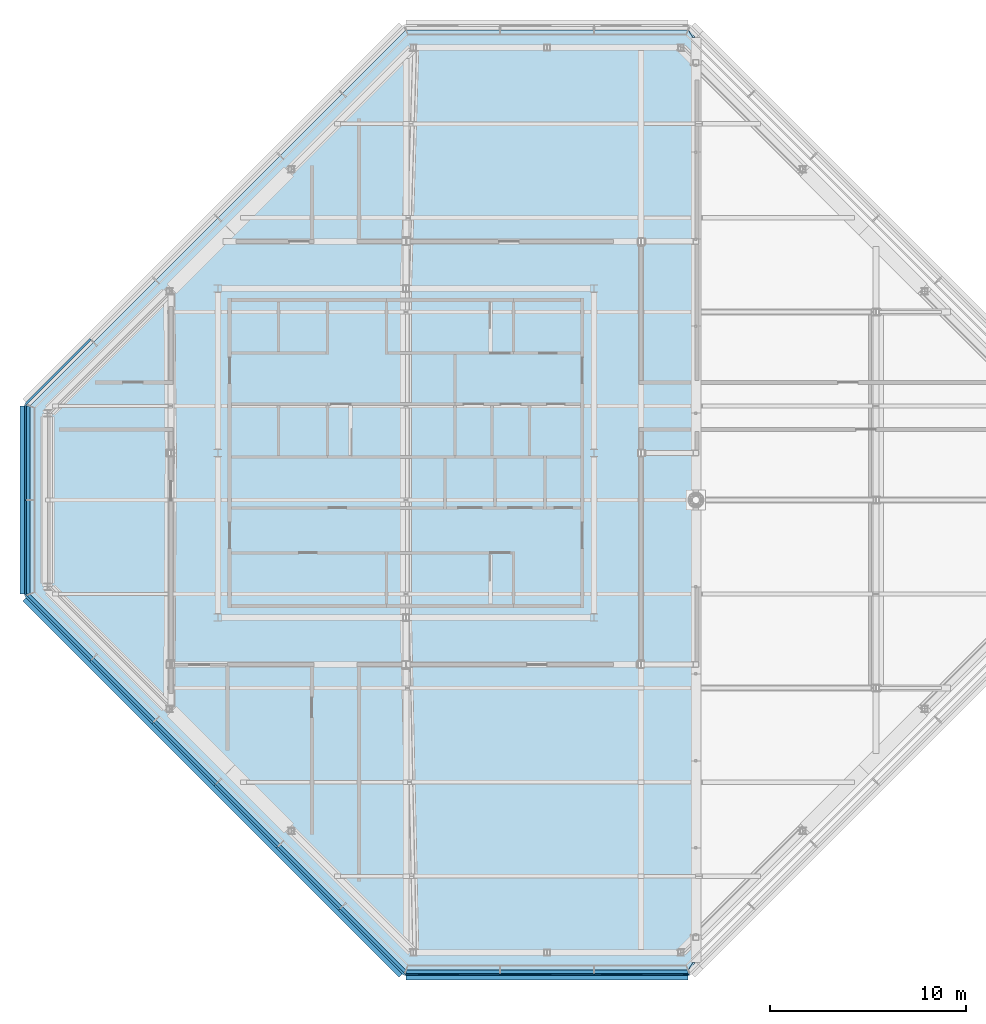
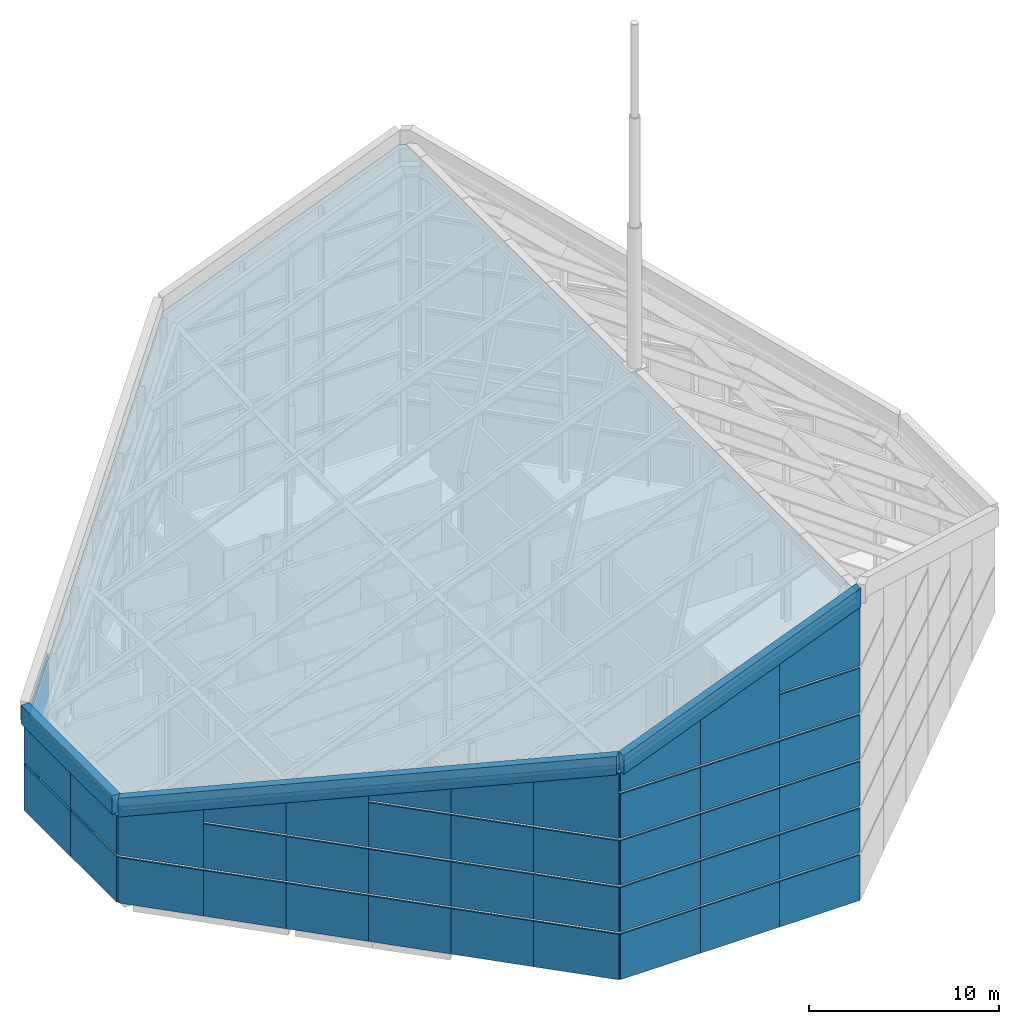
# One storey, part 13 of 21: 45 plates, 1 slab, 4 elements without a shape of their own.
"""IFC4 building model written with IfcOpenShell, lengths in metres."""

from ifc_helpers import new_model, si_unit, direction, frame, origin, origin_2d, place, context, subcontext, project, spatial, polyline, rectangle, outline, extrude, material, layer, layer_set, type_object, element, aggregate, save


model = new_model("IFC4")

# Units and contexts
model_context = context("Model", 3, precision=1e-05, world=origin(), true_north=direction((0.0, 1.0)))
body_context = subcontext(model_context, "Body", "Model", "MODEL_VIEW")
ifc_project = project(units=[si_unit("LENGTHUNIT", "METRE"), si_unit("AREAUNIT", "SQUARE_METRE"), si_unit("VOLUMEUNIT", "CUBIC_METRE"), si_unit("PLANEANGLEUNIT", "RADIAN"), si_unit("MASSUNIT", "GRAM", prefix="KILO")], contexts=[model_context])

# Site, building, storey
site_placement = place(None, origin())
site = spatial("IfcSite", under=ifc_project, at=site_placement, CompositionType="ELEMENT")
building_placement = place(site_placement, origin())
building = spatial("IfcBuilding", under=site, at=building_placement, Name="Cairn Pilgrim Tower", CompositionType="ELEMENT")
storey_placement = place(building_placement, frame((0.0, 0.0, 295.800048828125)))
storey = spatial("IfcBuildingStorey", under=building, at=storey_placement, Name="L76", CompositionType="ELEMENT", Elevation=295.800048828125)

# Plates
ifc_material_1 = material(Name="Bronze anodised aluminium", Category="aluminium")
ifc_layer_1 = layer(ifc_material_1, 0.5)
ifc_layer_set_1 = layer_set([ifc_layer_1], Name="EAVES FASCIA 500x1200 BRONZE")
plate_type_1 = type_object("IfcPlateType", Name="EAVES FASCIA 500x1200 BRONZE", PredefinedType="SHEET", material=ifc_layer_set_1)
plate_1_placement = place(storey_placement, frame((7.199951171875, -24.25, 13.300537109375), z_axis=(0.0, 0.0, 1.0), x_axis=(1.0, 0.0, 0.0)))
element("IfcPlate", 1, at=plate_1_placement, inside=storey, type_object=plate_type_1, Name="Eaves fascia EF-1", PredefinedType="SHEET", context=body_context, shape_type="SweptSolid", body=[
    extrude(outline(polyline([(0.0, 0.0), (14.39990234375, 5.7177734375), (14.39990234375, 6.917724609375), (0.0, 1.2001953125), (0.0, 0.0)])), frame((0.0, 0.25, 0.0), z_axis=(0.0, -1.0, 0.0), x_axis=(1.0, 0.0, 0.0)), (0.0, 0.0, 1.0), 0.5),
])
plate_2_placement = place(storey_placement, frame((-12.25, 4.800048828125, 5.67724609375), z_axis=(0.0, 0.0, 1.0), x_axis=(0.0, -1.0, 0.0)))
element("IfcPlate", 2, at=plate_2_placement, inside=storey, type_object=plate_type_1, Name="Eaves fascia EF-7", PredefinedType="SHEET", context=body_context, shape_type="SweptSolid", body=[
    extrude(outline(polyline([(0.0, 0.0), (9.60009765625, 0.0), (9.60009765625, 1.199951171875), (0.0, 1.199951171875), (0.0, 0.0)])), frame((0.0, 0.25, 0.0), z_axis=(0.0, -1.0, 0.0), x_axis=(1.0, 0.0, 0.0)), (0.0, 0.0, 1.0), 0.5),
])
plate_3_placement = place(storey_placement, frame((-12.1767578125, -4.976806640625, 5.67724609375), z_axis=(0.0, 0.0, 1.0), x_axis=(0.707106781187, -0.707106781187, 0.0)))
element("IfcPlate", 3, at=plate_3_placement, inside=storey, type_object=plate_type_1, Name="Eaves fascia EF-8", PredefinedType="SHEET", context=body_context, shape_type="SweptSolid", body=[
    extrude(outline(polyline([(0.0, 0.0), (27.15283203125, 7.623291015625), (27.15283203125, 8.823486328125), (0.0, 1.199951171875), (0.0, 0.0)])), frame((0.0, 0.25, 0.0), z_axis=(0.0, -1.0, 0.0), x_axis=(1.0, 0.0, 0.0)), (0.0, 0.0, 1.0), 0.5),
])

# Curtain wall, plates
ifc_material_2 = material(Name="Aluminium alloy 6063-T6 bronze anodised with Bronze tinted laminated low-E glass 8+16+8.8", Category="aluminium")
curtain_wall_type = type_object("IfcCurtainWallType", Name="CROWN LOUVRE CURTAIN WALL", PredefinedType="NOTDEFINED", material=ifc_material_2)
curtain_wall_1_placement = place(storey_placement, origin())
curtain_wall_1 = element("IfcCurtainWall", 4, at=curtain_wall_1_placement, inside=storey, type_object=curtain_wall_type, Name="Crown Louvre Curtain Wall SW", PredefinedType="NOTDEFINED")
ifc_material_3 = material(Name="Bronze anodised aluminium louvre blades", Category="aluminium")
ifc_layer_2 = layer(ifc_material_3, 0.10009765625)
ifc_layer_set_2 = layer_set([ifc_layer_2], Name="LOUVRE PANEL 4491 RAKING")
plate_type_2 = type_object("IfcPlateType", Name="LOUVRE PANEL 4491 RAKING", PredefinedType="CURTAIN_PANEL", material=ifc_layer_set_2)
plate_4_placement = place(storey_placement, frame((-8.90673828125, -8.204345703125, 6.074951171875), z_axis=(0.0, 0.0, 1.0), x_axis=(0.707106781187, -0.707106781187, 0.0)))
plate_4 = element("IfcPlate", 5, at=plate_4_placement, type_object=plate_type_2, Name="Louvre panel SW2-3", PredefinedType="CURTAIN_PANEL", context=body_context, shape_type="SweptSolid", body=[
    extrude(outline(polyline([(0.0, 0.0), (4.490966796875, 0.0), (4.490966796875, 2.077392578125), (3.849365234375, 1.897216796875), (3.207763671875, 1.717041015625), (2.56640625, 1.536865234375), (1.9248046875, 1.356689453125), (1.283203125, 1.176513671875), (0.6416015625, 0.99658203125), (0.0, 0.81640625), (0.0, 0.0)])), frame((0.0, 0.050048828125, 0.0), z_axis=(0.0, -1.0, 0.0), x_axis=(1.0, 0.0, 0.0)), (0.0, 0.0, 1.0), 0.10009765625),
])
plate_5_placement = place(storey_placement, frame((-5.731201171875, -11.3798828125, 6.074951171875), z_axis=(0.0, 0.0, 1.0), x_axis=(0.707079599931, -0.707133961398, 0.0)))
plate_5 = element("IfcPlate", 6, at=plate_5_placement, type_object=plate_type_2, Name="Louvre panel SW3-3", PredefinedType="CURTAIN_PANEL", context=body_context, shape_type="SweptSolid", body=[
    extrude(outline(polyline([(0.0, 0.0), (4.490966796875, 0.0), (4.490966796875, 3.338134765625), (3.849365234375, 3.157958984375), (3.207763671875, 2.97802734375), (2.56640625, 2.7978515625), (1.9248046875, 2.61767578125), (1.283203125, 2.4375), (0.6416015625, 2.25732421875), (0.0, 2.077392578125), (0.0, 0.0)])), frame((0.0, 0.050048828125, 0.0), z_axis=(0.0, -1.0, 0.0), x_axis=(1.0, 0.0, 0.0)), (0.0, 0.0, 1.0), 0.10009765625),
])
plate_6_placement = place(storey_placement, frame((-2.5556640625, -14.5556640625, 9.074951171875), z_axis=(0.0, 0.0, 1.0), x_axis=(0.707133961398, -0.707079599931, 0.0)))
plate_6 = element("IfcPlate", 7, at=plate_6_placement, type_object=plate_type_2, Name="Louvre panel SW4-4", PredefinedType="CURTAIN_PANEL", context=body_context, shape_type="SweptSolid", body=[
    extrude(outline(polyline([(0.0, 0.0), (4.490966796875, 0.0), (4.490966796875, 1.59912109375), (3.849365234375, 1.4189453125), (3.207763671875, 1.23876953125), (2.56640625, 1.05859375), (1.9248046875, 0.878662109375), (1.283203125, 0.698486328125), (0.6416015625, 0.518310546875), (0.0, 0.338134765625), (0.0, 0.0)])), frame((0.0, 0.050048828125, 0.0), z_axis=(0.0, -1.0, 0.0), x_axis=(1.0, 0.0, 0.0)), (0.0, 0.0, 1.0), 0.10009765625),
])
plate_7_placement = place(storey_placement, frame((0.6201171875, -17.731201171875, 9.074951171875), z_axis=(0.0, 0.0, 1.0), x_axis=(0.707106781187, -0.707106781187, 0.0)))
plate_7 = element("IfcPlate", 8, at=plate_7_placement, type_object=plate_type_2, Name="Louvre panel SW5-4", PredefinedType="CURTAIN_PANEL", context=body_context, shape_type="SweptSolid", body=[
    extrude(outline(polyline([(0.0, 0.0), (4.490966796875, 0.0), (4.490966796875, 2.85986328125), (3.849365234375, 2.679931640625), (3.207763671875, 2.499755859375), (2.56640625, 2.319580078125), (1.9248046875, 2.139404296875), (1.283203125, 1.959228515625), (0.6416015625, 1.779296875), (0.0, 1.59912109375), (0.0, 0.0)])), frame((0.0, 0.050048828125, 0.0), z_axis=(0.0, -1.0, 0.0), x_axis=(1.0, 0.0, 0.0)), (0.0, 0.0, 1.0), 0.10009765625),
])
ifc_layer_3 = layer(ifc_material_3, 0.10009765625)
ifc_layer_set_3 = layer_set([ifc_layer_3], Name="LOUVRE PANEL 4491x2850")
plate_type_3 = type_object("IfcPlateType", Name="LOUVRE PANEL 4491x2850", PredefinedType="CURTAIN_PANEL", material=ifc_layer_set_3)
plate_8_placement = place(storey_placement, frame((-7.31884765625, -9.792236328125, 3.074951171875), z_axis=(0.0, 0.0, 1.0), x_axis=(0.707106781187, -0.707106781187, 0.0)))
plate_8 = element("IfcPlate", 9, at=plate_8_placement, type_object=plate_type_3, Name="Louvre Panel SW2-2", PredefinedType="CURTAIN_PANEL", context=body_context, shape_type="SweptSolid", body=[
    extrude(rectangle(XDim=4.490966796875, YDim=0.10009765625, at=origin_2d()), origin(), (0.0, 0.0, 1.0), 2.85009765625),
])
plate_9_placement = place(storey_placement, frame((-4.143310546875, -12.9677734375, 3.074951171875), z_axis=(0.0, 0.0, 1.0), x_axis=(0.707106781187, -0.707106781187, 0.0)))
plate_9 = element("IfcPlate", 10, at=plate_9_placement, type_object=plate_type_3, Name="Louvre Panel SW3-2", PredefinedType="CURTAIN_PANEL", context=body_context, shape_type="SweptSolid", body=[
    extrude(rectangle(XDim=4.490966796875, YDim=0.10009765625, at=origin_2d()), origin(), (0.0, 0.0, 1.0), 2.85009765625),
])
plate_10_placement = place(storey_placement, frame((-0.9677734375, -16.143310546875, 3.074951171875), z_axis=(0.0, 0.0, 1.0), x_axis=(0.707106781187, -0.707106781187, 0.0)))
plate_10 = element("IfcPlate", 11, at=plate_10_placement, type_object=plate_type_3, Name="Louvre Panel SW4-2", PredefinedType="CURTAIN_PANEL", context=body_context, shape_type="SweptSolid", body=[
    extrude(rectangle(XDim=4.490966796875, YDim=0.10009765625, at=origin_2d()), origin(), (0.0, 0.0, 1.0), 2.85009765625),
])
plate_11_placement = place(storey_placement, frame((-0.9677734375, -16.143310546875, 6.074951171875), z_axis=(0.0, 0.0, 1.0), x_axis=(0.707106781187, -0.707106781187, 0.0)))
plate_11 = element("IfcPlate", 12, at=plate_11_placement, type_object=plate_type_3, Name="Louvre Panel SW4-3", PredefinedType="CURTAIN_PANEL", context=body_context, shape_type="SweptSolid", body=[
    extrude(rectangle(XDim=4.490966796875, YDim=0.10009765625, at=origin_2d()), origin(), (0.0, 0.0, 1.0), 2.85009765625),
])
plate_12_placement = place(storey_placement, frame((2.207763671875, -19.31884765625, 3.074951171875), z_axis=(0.0, 0.0, 1.0), x_axis=(0.707106781187, -0.707106781187, 0.0)))
plate_12 = element("IfcPlate", 13, at=plate_12_placement, type_object=plate_type_3, Name="Louvre Panel SW5-2", PredefinedType="CURTAIN_PANEL", context=body_context, shape_type="SweptSolid", body=[
    extrude(rectangle(XDim=4.490966796875, YDim=0.10009765625, at=origin_2d()), origin(), (0.0, 0.0, 1.0), 2.85009765625),
])
plate_13_placement = place(storey_placement, frame((2.207763671875, -19.31884765625, 6.074951171875), z_axis=(0.0, 0.0, 1.0), x_axis=(0.707106781187, -0.707106781187, 0.0)))
plate_13 = element("IfcPlate", 14, at=plate_13_placement, type_object=plate_type_3, Name="Louvre Panel SW5-3", PredefinedType="CURTAIN_PANEL", context=body_context, shape_type="SweptSolid", body=[
    extrude(rectangle(XDim=4.490966796875, YDim=0.10009765625, at=origin_2d()), origin(), (0.0, 0.0, 1.0), 2.85009765625),
])
ifc_layer_4 = layer(ifc_material_3, 0.10009765625)
ifc_layer_set_4 = layer_set([ifc_layer_4], Name="LOUVRE PANEL 4491x2925")
plate_type_4 = type_object("IfcPlateType", Name="LOUVRE PANEL 4491x2925", PredefinedType="CURTAIN_PANEL", material=ifc_layer_set_4)
plate_14_placement = place(storey_placement, frame((-7.31884765625, -9.792236328125, 0.0), z_axis=(0.0, 0.0, 1.0), x_axis=(0.707106781187, -0.707106781187, 0.0)))
plate_14 = element("IfcPlate", 15, at=plate_14_placement, type_object=plate_type_4, Name="Louvre Panel SW2-1", PredefinedType="CURTAIN_PANEL", context=body_context, shape_type="SweptSolid", body=[
    extrude(rectangle(XDim=4.490966796875, YDim=0.10009765625, at=origin_2d()), origin(), (0.0, 0.0, 1.0), 2.925048828125),
])
plate_15_placement = place(storey_placement, frame((-4.143310546875, -12.9677734375, 0.0), z_axis=(0.0, 0.0, 1.0), x_axis=(0.707106781187, -0.707106781187, 0.0)))
plate_15 = element("IfcPlate", 16, at=plate_15_placement, type_object=plate_type_4, Name="Louvre Panel SW3-1", PredefinedType="CURTAIN_PANEL", context=body_context, shape_type="SweptSolid", body=[
    extrude(rectangle(XDim=4.490966796875, YDim=0.10009765625, at=origin_2d()), origin(), (0.0, 0.0, 1.0), 2.925048828125),
])
plate_16_placement = place(storey_placement, frame((-0.9677734375, -16.143310546875, 0.0), z_axis=(0.0, 0.0, 1.0), x_axis=(0.707106781187, -0.707106781187, 0.0)))
plate_16 = element("IfcPlate", 17, at=plate_16_placement, type_object=plate_type_4, Name="Louvre Panel SW4-1", PredefinedType="CURTAIN_PANEL", context=body_context, shape_type="SweptSolid", body=[
    extrude(rectangle(XDim=4.490966796875, YDim=0.10009765625, at=origin_2d()), origin(), (0.0, 0.0, 1.0), 2.925048828125),
])
plate_17_placement = place(storey_placement, frame((2.207763671875, -19.31884765625, 0.0), z_axis=(0.0, 0.0, 1.0), x_axis=(0.707106781187, -0.707106781187, 0.0)))
plate_17 = element("IfcPlate", 18, at=plate_17_placement, type_object=plate_type_4, Name="Louvre Panel SW5-1", PredefinedType="CURTAIN_PANEL", context=body_context, shape_type="SweptSolid", body=[
    extrude(rectangle(XDim=4.490966796875, YDim=0.10009765625, at=origin_2d()), origin(), (0.0, 0.0, 1.0), 2.925048828125),
])

# Curtain wall, plate
curtain_wall_2_placement = place(storey_placement, origin())
curtain_wall_2 = element("IfcCurtainWall", 19, at=curtain_wall_2_placement, inside=storey, type_object=curtain_wall_type, Name="Crown Louvre Curtain Wall NW", PredefinedType="NOTDEFINED")
ifc_layer_5 = layer(ifc_material_3, 0.10009765625)
ifc_layer_set_5 = layer_set([ifc_layer_5], Name="LOUVRE PANEL 4665 RAKING")
plate_type_5 = type_object("IfcPlateType", Name="LOUVRE PANEL 4665 RAKING", PredefinedType="CURTAIN_PANEL", material=ifc_layer_set_5)
plate_18_placement = place(storey_placement, frame((-8.90673828125, 8.204345703125, 3.074951171875), z_axis=(0.0, 0.0, 1.0), x_axis=(-0.707106781187, -0.707106781187, 0.0)))
plate_18 = element("IfcPlate", 20, at=plate_18_placement, type_object=plate_type_5, Name="Louvre panel NW6-2", PredefinedType="CURTAIN_PANEL", context=body_context, shape_type="SweptSolid", body=[
    extrude(outline(polyline([(0.0, 0.0), (4.664794921875, 0.0), (4.664794921875, 2.506591796875), (3.99853515625, 2.69384765625), (3.33203125, 2.880859375), (2.665771484375, 3.06787109375), (1.999267578125, 3.255126953125), (1.332763671875, 3.442138671875), (0.66650390625, 3.62939453125), (0.0, 3.81640625), (0.0, 0.0)])), frame((0.0, 0.050048828125, 0.0), z_axis=(0.0, -1.0, 0.0), x_axis=(1.0, 0.0, 0.0)), (0.0, 0.0, 1.0), 0.10009765625),
])

# Plate
plate_19_placement = place(storey_placement, frame((-12.205322265625, -4.90576171875, 3.074951171875), z_axis=(0.0, 0.0, 1.0), x_axis=(0.707106781187, -0.707106781187, 0.0)))
plate_19 = element("IfcPlate", 21, at=plate_19_placement, type_object=plate_type_5, Name="Louvre panel SW1-2", PredefinedType="CURTAIN_PANEL", context=body_context, shape_type="SweptSolid", body=[
    extrude(outline(polyline([(0.0, 0.0), (4.664794921875, 0.0), (4.664794921875, 3.81640625), (3.99853515625, 3.629150390625), (3.33203125, 3.442138671875), (2.665771484375, 3.255126953125), (1.999267578125, 3.06787109375), (1.332763671875, 2.880859375), (0.66650390625, 2.69384765625), (0.0, 2.506591796875), (0.0, 0.0)])), frame((0.0, 0.050048828125, 0.0), z_axis=(0.0, -1.0, 0.0), x_axis=(1.0, 0.0, 0.0)), (0.0, 0.0, 1.0), 0.10009765625),
])

plate_20_placement = place(storey_placement, frame((3.795654296875, -20.90673828125, 9.074951171875), z_axis=(0.0, 0.0, 1.0), x_axis=(0.707106781187, -0.707106781187, 0.0)))
plate_20 = element("IfcPlate", 22, at=plate_20_placement, type_object=plate_type_5, Name="Louvre panel SW6-4", PredefinedType="CURTAIN_PANEL", context=body_context, shape_type="SweptSolid", body=[
    extrude(outline(polyline([(0.0, 0.0), (4.664794921875, 0.0), (4.664794921875, 4.169677734375), (3.99853515625, 3.982666015625), (3.33203125, 3.79541015625), (2.665771484375, 3.6083984375), (1.999267578125, 3.42138671875), (1.332763671875, 3.234130859375), (0.66650390625, 3.047119140625), (0.0, 2.85986328125), (0.0, 0.0)])), frame((0.0, 0.050048828125, 0.0), z_axis=(0.0, -1.0, 0.0), x_axis=(1.0, 0.0, 0.0)), (0.0, 0.0, 1.0), 0.10009765625),
])

ifc_layer_6 = layer(ifc_material_3, 0.10009765625)
ifc_layer_set_6 = layer_set([ifc_layer_6], Name="LOUVRE PANEL 4665x2850")
plate_type_6 = type_object("IfcPlateType", Name="LOUVRE PANEL 4665x2850", PredefinedType="CURTAIN_PANEL", material=ifc_layer_set_6)
plate_21_placement = place(storey_placement, frame((5.44482421875, -22.55615234375, 3.074951171875), z_axis=(0.0, 0.0, 1.0), x_axis=(0.707106781187, -0.707106781187, 0.0)))
plate_21 = element("IfcPlate", 23, at=plate_21_placement, type_object=plate_type_6, Name="Louvre Panel SW6-2", PredefinedType="CURTAIN_PANEL", context=body_context, shape_type="SweptSolid", body=[
    extrude(rectangle(XDim=4.6650390625, YDim=0.10009765625, at=origin_2d()), origin(), (0.0, 0.0, 1.0), 2.85009765625),
])

plate_22_placement = place(storey_placement, frame((5.44482421875, -22.55615234375, 6.074951171875), z_axis=(0.0, 0.0, 1.0), x_axis=(0.707106781187, -0.707106781187, 0.0)))
plate_22 = element("IfcPlate", 24, at=plate_22_placement, type_object=plate_type_6, Name="Louvre Panel SW6-3", PredefinedType="CURTAIN_PANEL", context=body_context, shape_type="SweptSolid", body=[
    extrude(rectangle(XDim=4.6650390625, YDim=0.10009765625, at=origin_2d()), origin(), (0.0, 0.0, 1.0), 2.85009765625),
])

ifc_layer_7 = layer(ifc_material_3, 0.10009765625)
ifc_layer_set_7 = layer_set([ifc_layer_7], Name="LOUVRE PANEL 4665x2925")
plate_type_7 = type_object("IfcPlateType", Name="LOUVRE PANEL 4665x2925", PredefinedType="CURTAIN_PANEL", material=ifc_layer_set_7)
plate_23_placement = place(storey_placement, frame((-10.55615234375, 6.55517578125, 0.0), z_axis=(0.0, 0.0, 1.0), x_axis=(-0.707106781187, -0.707106781187, 0.0)))
plate_23 = element("IfcPlate", 25, at=plate_23_placement, type_object=plate_type_7, Name="Louvre Panel NW6-1", PredefinedType="CURTAIN_PANEL", context=body_context, shape_type="SweptSolid", body=[
    extrude(rectangle(XDim=4.6650390625, YDim=0.10009765625, at=origin_2d()), origin(), (0.0, 0.0, 1.0), 2.925048828125),
])

aggregate(curtain_wall_2, [plate_23, plate_18])

plate_24_placement = place(storey_placement, frame((-10.55615234375, -6.55517578125, 0.0), z_axis=(0.0, 0.0, 1.0), x_axis=(0.707106781187, -0.707106781187, 0.0)))
plate_24 = element("IfcPlate", 26, at=plate_24_placement, type_object=plate_type_7, Name="Louvre Panel SW1-1", PredefinedType="CURTAIN_PANEL", context=body_context, shape_type="SweptSolid", body=[
    extrude(rectangle(XDim=4.6650390625, YDim=0.10009765625, at=origin_2d()), origin(), (0.0, 0.0, 1.0), 2.925048828125),
])

plate_25_placement = place(storey_placement, frame((5.44482421875, -22.55615234375, 0.0), z_axis=(0.0, 0.0, 1.0), x_axis=(0.707106781187, -0.707106781187, 0.0)))
plate_25 = element("IfcPlate", 27, at=plate_25_placement, type_object=plate_type_7, Name="Louvre Panel SW6-1", PredefinedType="CURTAIN_PANEL", context=body_context, shape_type="SweptSolid", body=[
    extrude(rectangle(XDim=4.6650390625, YDim=0.10009765625, at=origin_2d()), origin(), (0.0, 0.0, 1.0), 2.925048828125),
])

aggregate(curtain_wall_1, [plate_24, plate_19, plate_14, plate_8, plate_4, plate_15, plate_9, plate_5, plate_16, plate_10, plate_11, plate_6, plate_17, plate_12, plate_13, plate_7, plate_25, plate_21, plate_22, plate_20])

# Curtain wall, plates
curtain_wall_3_placement = place(storey_placement, origin())
curtain_wall_3 = element("IfcCurtainWall", 28, at=curtain_wall_3_placement, inside=storey, type_object=curtain_wall_type, Name="Crown Louvre Curtain Wall S", PredefinedType="NOTDEFINED")
ifc_layer_8 = layer(ifc_material_3, 0.10009765625)
ifc_layer_set_8 = layer_set([ifc_layer_8], Name="LOUVRE PANEL 4800 RAKING")
plate_type_8 = type_object("IfcPlateType", Name="LOUVRE PANEL 4800 RAKING", PredefinedType="CURTAIN_PANEL", material=ifc_layer_set_8)
plate_26_placement = place(storey_placement, frame((12.0, -24.219970703125, 12.074951171875), z_axis=(0.0, 0.0, 1.0), x_axis=(1.0, 0.0, 0.0)))
plate_26 = element("IfcPlate", 29, at=plate_26_placement, type_object=plate_type_8, Name="Louvre panel S2-5", PredefinedType="CURTAIN_PANEL", context=body_context, shape_type="SweptSolid", body=[
    extrude(outline(polyline([(0.0, 0.0), (4.800048828125, 0.0), (4.800048828125, 5.03759765625), (4.1142578125, 4.76513671875), (3.4287109375, 4.492919921875), (2.742919921875, 4.220703125), (2.05712890625, 3.948486328125), (1.371337890625, 3.67626953125), (0.685791015625, 3.40380859375), (0.0, 3.131591796875), (0.0, 0.0)])), frame((0.0, 0.050048828125, 0.0), z_axis=(0.0, -1.0, 0.0), x_axis=(1.0, 0.0, 0.0)), (0.0, 0.0, 1.0), 0.10009765625),
])
ifc_layer_9 = layer(ifc_material_3, 0.10009765625)
ifc_layer_set_9 = layer_set([ifc_layer_9], Name="LOUVRE PANEL 4800x2850")
plate_type_9 = type_object("IfcPlateType", Name="LOUVRE PANEL 4800x2850", PredefinedType="CURTAIN_PANEL", material=ifc_layer_set_9)
plate_27_placement = place(storey_placement, frame((14.39990234375, -24.219970703125, 3.074951171875), z_axis=(0.0, 0.0, 1.0), x_axis=(1.0, 0.0, 0.0)))
plate_27 = element("IfcPlate", 30, at=plate_27_placement, type_object=plate_type_9, Name="Louvre Panel S2-2", PredefinedType="CURTAIN_PANEL", context=body_context, shape_type="SweptSolid", body=[
    extrude(rectangle(XDim=4.800048828125, YDim=0.10009765625, at=origin_2d()), origin(), (0.0, 0.0, 1.0), 2.85009765625),
])
plate_28_placement = place(storey_placement, frame((14.39990234375, -24.219970703125, 6.074951171875), z_axis=(0.0, 0.0, 1.0), x_axis=(1.0, 0.0, 0.0)))
plate_28 = element("IfcPlate", 31, at=plate_28_placement, type_object=plate_type_9, Name="Louvre Panel S2-3", PredefinedType="CURTAIN_PANEL", context=body_context, shape_type="SweptSolid", body=[
    extrude(rectangle(XDim=4.800048828125, YDim=0.10009765625, at=origin_2d()), origin(), (0.0, 0.0, 1.0), 2.85009765625),
])
plate_29_placement = place(storey_placement, frame((14.39990234375, -24.219970703125, 9.074951171875), z_axis=(0.0, 0.0, 1.0), x_axis=(1.0, 0.0, 0.0)))
plate_29 = element("IfcPlate", 32, at=plate_29_placement, type_object=plate_type_9, Name="Louvre Panel S2-4", PredefinedType="CURTAIN_PANEL", context=body_context, shape_type="SweptSolid", body=[
    extrude(rectangle(XDim=4.800048828125, YDim=0.10009765625, at=origin_2d()), origin(), (0.0, 0.0, 1.0), 2.85009765625),
])
ifc_layer_10 = layer(ifc_material_3, 0.10009765625)
ifc_layer_set_10 = layer_set([ifc_layer_10], Name="LOUVRE PANEL 4800x2925")
plate_type_10 = type_object("IfcPlateType", Name="LOUVRE PANEL 4800x2925", PredefinedType="CURTAIN_PANEL", material=ifc_layer_set_10)
plate_30_placement = place(storey_placement, frame((14.39990234375, -24.219970703125, 0.0), z_axis=(0.0, 0.0, 1.0), x_axis=(1.0, 0.0, 0.0)))
plate_30 = element("IfcPlate", 33, at=plate_30_placement, type_object=plate_type_10, Name="Louvre Panel S2-1", PredefinedType="CURTAIN_PANEL", context=body_context, shape_type="SweptSolid", body=[
    extrude(rectangle(XDim=4.800048828125, YDim=0.10009765625, at=origin_2d()), origin(), (0.0, 0.0, 1.0), 2.925048828125),
])
ifc_layer_11 = layer(ifc_material_3, 0.10009765625)
ifc_layer_set_11 = layer_set([ifc_layer_11], Name="LOUVRE PANEL 4870 RAKING")
plate_type_11 = type_object("IfcPlateType", Name="LOUVRE PANEL 4870 RAKING", PredefinedType="CURTAIN_PANEL", material=ifc_layer_set_11)
plate_31_placement = place(storey_placement, frame((7.129638671875, -24.219970703125, 12.074951171875), z_axis=(0.0, 0.0, 1.0), x_axis=(1.0, 0.0, 0.0)))
plate_31 = element("IfcPlate", 34, at=plate_31_placement, type_object=plate_type_11, Name="Louvre panel S1-5", PredefinedType="CURTAIN_PANEL", context=body_context, shape_type="SweptSolid", body=[
    extrude(outline(polyline([(0.0, 0.0), (4.870361328125, 0.0), (4.870361328125, 3.131591796875), (4.26171875, 2.889892578125), (3.65283203125, 2.648193359375), (3.0439453125, 2.406494140625), (2.435302734375, 2.164794921875), (1.826416015625, 1.923095703125), (1.217529296875, 1.68115234375), (0.60888671875, 1.439453125), (0.0, 1.19775390625), (0.0, 0.0)])), frame((0.0, 0.050048828125, 0.0), z_axis=(0.0, -1.0, 0.0), x_axis=(1.0, 0.0, 0.0)), (0.0, 0.0, 1.0), 0.10009765625),
])
plate_32_placement = place(storey_placement, frame((16.800048828125, -24.219970703125, 15.074951171875), z_axis=(0.0, 0.0, 1.0), x_axis=(1.0, 0.0, 0.0)))
plate_32 = element("IfcPlate", 35, at=plate_32_placement, type_object=plate_type_11, Name="Louvre panel S3-6", PredefinedType="CURTAIN_PANEL", context=body_context, shape_type="SweptSolid", body=[
    extrude(outline(polyline([(0.0, 0.0), (4.870361328125, 0.0), (4.870361328125, 3.971435546875), (4.26171875, 3.729736328125), (3.65283203125, 3.48779296875), (3.0439453125, 3.24609375), (2.435302734375, 3.00439453125), (1.826416015625, 2.7626953125), (1.217529296875, 2.52099609375), (0.60888671875, 2.279296875), (0.0, 2.03759765625), (0.0, 0.0)])), frame((0.0, 0.050048828125, 0.0), z_axis=(0.0, -1.0, 0.0), x_axis=(1.0, 0.0, 0.0)), (0.0, 0.0, 1.0), 0.10009765625),
])

curtain_wall_4_placement = place(storey_placement, origin())
curtain_wall_4 = element("IfcCurtainWall", 36, at=curtain_wall_4_placement, inside=storey, type_object=curtain_wall_type, Name="Crown Louvre Curtain Wall W", PredefinedType="NOTDEFINED")
plate_33_placement = place(storey_placement, frame((-12.219970703125, 4.870361328125, 3.074951171875), z_axis=(0.0, 0.0, 1.0), x_axis=(0.0, -1.0, 0.0)))
plate_33 = element("IfcPlate", 37, at=plate_33_placement, type_object=plate_type_11, Name="Louvre panel W1-2", PredefinedType="CURTAIN_PANEL", context=body_context, shape_type="SweptSolid", body=[
    extrude(outline(polyline([(0.0, 0.0), (4.870361328125, 0.0), (4.870361328125, 2.4951171875), (4.26171875, 2.4951171875), (3.65283203125, 2.4951171875), (3.0439453125, 2.4951171875), (2.435302734375, 2.4951171875), (1.826416015625, 2.4951171875), (1.217529296875, 2.4951171875), (0.60888671875, 2.4951171875), (0.0, 2.4951171875), (0.0, 0.0)])), frame((0.0, 0.050048828125, 0.0), z_axis=(0.0, -1.0, 0.0), x_axis=(1.0, 0.0, 0.0)), (0.0, 0.0, 1.0), 0.10009765625),
])
plate_34_placement = place(storey_placement, frame((-12.219970703125, 0.0, 3.074951171875), z_axis=(0.0, 0.0, 1.0), x_axis=(0.0, -1.0, 0.0)))
plate_34 = element("IfcPlate", 38, at=plate_34_placement, type_object=plate_type_11, Name="Louvre panel W2-2", PredefinedType="CURTAIN_PANEL", context=body_context, shape_type="SweptSolid", body=[
    extrude(outline(polyline([(0.0, 0.0), (4.870361328125, 0.0), (4.870361328125, 2.4951171875), (4.26171875, 2.4951171875), (3.65283203125, 2.4951171875), (3.0439453125, 2.4951171875), (2.435302734375, 2.4951171875), (1.826416015625, 2.4951171875), (1.217529296875, 2.4951171875), (0.60888671875, 2.4951171875), (0.0, 2.4951171875), (0.0, 0.0)])), frame((0.0, 0.050048828125, 0.0), z_axis=(0.0, -1.0, 0.0), x_axis=(1.0, 0.0, 0.0)), (0.0, 0.0, 1.0), 0.10009765625),
])

# Plate
ifc_layer_12 = layer(ifc_material_3, 0.10009765625)
ifc_layer_set_12 = layer_set([ifc_layer_12], Name="LOUVRE PANEL 4870x2850")
plate_type_12 = type_object("IfcPlateType", Name="LOUVRE PANEL 4870x2850", PredefinedType="CURTAIN_PANEL", material=ifc_layer_set_12)
plate_35_placement = place(storey_placement, frame((9.564697265625, -24.219970703125, 3.074951171875), z_axis=(0.0, 0.0, 1.0), x_axis=(1.0, 0.0, 0.0)))
plate_35 = element("IfcPlate", 39, at=plate_35_placement, type_object=plate_type_12, Name="Louvre Panel S1-2", PredefinedType="CURTAIN_PANEL", context=body_context, shape_type="SweptSolid", body=[
    extrude(rectangle(XDim=4.870361328125, YDim=0.10009765625, at=origin_2d()), origin(), (0.0, 0.0, 1.0), 2.85009765625),
])

plate_36_placement = place(storey_placement, frame((9.564697265625, -24.219970703125, 6.074951171875), z_axis=(0.0, 0.0, 1.0), x_axis=(1.0, 0.0, 0.0)))
plate_36 = element("IfcPlate", 40, at=plate_36_placement, type_object=plate_type_12, Name="Louvre Panel S1-3", PredefinedType="CURTAIN_PANEL", context=body_context, shape_type="SweptSolid", body=[
    extrude(rectangle(XDim=4.870361328125, YDim=0.10009765625, at=origin_2d()), origin(), (0.0, 0.0, 1.0), 2.85009765625),
])

plate_37_placement = place(storey_placement, frame((9.564697265625, -24.219970703125, 9.074951171875), z_axis=(0.0, 0.0, 1.0), x_axis=(1.0, 0.0, 0.0)))
plate_37 = element("IfcPlate", 41, at=plate_37_placement, type_object=plate_type_12, Name="Louvre Panel S1-4", PredefinedType="CURTAIN_PANEL", context=body_context, shape_type="SweptSolid", body=[
    extrude(rectangle(XDim=4.870361328125, YDim=0.10009765625, at=origin_2d()), origin(), (0.0, 0.0, 1.0), 2.85009765625),
])

plate_38_placement = place(storey_placement, frame((19.235107421875, -24.219970703125, 3.074951171875), z_axis=(0.0, 0.0, 1.0), x_axis=(1.0, 0.0, 0.0)))
plate_38 = element("IfcPlate", 42, at=plate_38_placement, type_object=plate_type_12, Name="Louvre Panel S3-2", PredefinedType="CURTAIN_PANEL", context=body_context, shape_type="SweptSolid", body=[
    extrude(rectangle(XDim=4.870361328125, YDim=0.10009765625, at=origin_2d()), origin(), (0.0, 0.0, 1.0), 2.85009765625),
])

plate_39_placement = place(storey_placement, frame((19.235107421875, -24.219970703125, 6.074951171875), z_axis=(0.0, 0.0, 1.0), x_axis=(1.0, 0.0, 0.0)))
plate_39 = element("IfcPlate", 43, at=plate_39_placement, type_object=plate_type_12, Name="Louvre Panel S3-3", PredefinedType="CURTAIN_PANEL", context=body_context, shape_type="SweptSolid", body=[
    extrude(rectangle(XDim=4.870361328125, YDim=0.10009765625, at=origin_2d()), origin(), (0.0, 0.0, 1.0), 2.85009765625),
])

plate_40_placement = place(storey_placement, frame((19.235107421875, -24.219970703125, 9.074951171875), z_axis=(0.0, 0.0, 1.0), x_axis=(1.0, 0.0, 0.0)))
plate_40 = element("IfcPlate", 44, at=plate_40_placement, type_object=plate_type_12, Name="Louvre Panel S3-4", PredefinedType="CURTAIN_PANEL", context=body_context, shape_type="SweptSolid", body=[
    extrude(rectangle(XDim=4.870361328125, YDim=0.10009765625, at=origin_2d()), origin(), (0.0, 0.0, 1.0), 2.85009765625),
])

plate_41_placement = place(storey_placement, frame((19.235107421875, -24.219970703125, 12.074951171875), z_axis=(0.0, 0.0, 1.0), x_axis=(1.0, 0.0, 0.0)))
plate_41 = element("IfcPlate", 45, at=plate_41_placement, type_object=plate_type_12, Name="Louvre Panel S3-5", PredefinedType="CURTAIN_PANEL", context=body_context, shape_type="SweptSolid", body=[
    extrude(rectangle(XDim=4.870361328125, YDim=0.10009765625, at=origin_2d()), origin(), (0.0, 0.0, 1.0), 2.85009765625),
])

ifc_layer_13 = layer(ifc_material_3, 0.10009765625)
ifc_layer_set_13 = layer_set([ifc_layer_13], Name="LOUVRE PANEL 4870x2925")
plate_type_13 = type_object("IfcPlateType", Name="LOUVRE PANEL 4870x2925", PredefinedType="CURTAIN_PANEL", material=ifc_layer_set_13)
plate_42_placement = place(storey_placement, frame((9.564697265625, -24.219970703125, 0.0), z_axis=(0.0, 0.0, 1.0), x_axis=(1.0, 0.0, 0.0)))
plate_42 = element("IfcPlate", 46, at=plate_42_placement, type_object=plate_type_13, Name="Louvre Panel S1-1", PredefinedType="CURTAIN_PANEL", context=body_context, shape_type="SweptSolid", body=[
    extrude(rectangle(XDim=4.870361328125, YDim=0.10009765625, at=origin_2d()), origin(), (0.0, 0.0, 1.0), 2.925048828125),
])

plate_43_placement = place(storey_placement, frame((19.235107421875, -24.219970703125, 0.0), z_axis=(0.0, 0.0, 1.0), x_axis=(1.0, 0.0, 0.0)))
plate_43 = element("IfcPlate", 47, at=plate_43_placement, type_object=plate_type_13, Name="Louvre Panel S3-1", PredefinedType="CURTAIN_PANEL", context=body_context, shape_type="SweptSolid", body=[
    extrude(rectangle(XDim=4.870361328125, YDim=0.10009765625, at=origin_2d()), origin(), (0.0, 0.0, 1.0), 2.925048828125),
])

aggregate(curtain_wall_3, [plate_42, plate_35, plate_36, plate_37, plate_31, plate_30, plate_27, plate_28, plate_29, plate_26, plate_43, plate_38, plate_39, plate_40, plate_41, plate_32])

plate_44_placement = place(storey_placement, frame((-12.219970703125, 2.435302734375, 0.0), z_axis=(0.0, 0.0, 1.0), x_axis=(0.0, -1.0, 0.0)))
plate_44 = element("IfcPlate", 48, at=plate_44_placement, type_object=plate_type_13, Name="Louvre Panel W1-1", PredefinedType="CURTAIN_PANEL", context=body_context, shape_type="SweptSolid", body=[
    extrude(rectangle(XDim=4.870361328125, YDim=0.10009765625, at=origin_2d()), origin(), (0.0, 0.0, 1.0), 2.925048828125),
])

plate_45_placement = place(storey_placement, frame((-12.219970703125, -2.435302734375, 0.0), z_axis=(0.0, 0.0, 1.0), x_axis=(0.0, -1.0, 0.0)))
plate_45 = element("IfcPlate", 49, at=plate_45_placement, type_object=plate_type_13, Name="Louvre Panel W2-1", PredefinedType="CURTAIN_PANEL", context=body_context, shape_type="SweptSolid", body=[
    extrude(rectangle(XDim=4.870361328125, YDim=0.10009765625, at=origin_2d()), origin(), (0.0, 0.0, 1.0), 2.925048828125),
])

aggregate(curtain_wall_4, [plate_44, plate_33, plate_45, plate_34])

# Slab
ifc_material_4 = material(Name="Bronze aluminium standing seam roofing on insulated deck", Category="aluminium")
ifc_layer_14 = layer(ifc_material_4, 0.300048828125)
ifc_layer_set_14 = layer_set([ifc_layer_14], Name="ROOF PLANE 300")
slab_type = type_object("IfcSlabType", Name="ROOF PLANE 300", PredefinedType="ROOF", material=ifc_layer_set_14)
slab_placement = place(storey_placement, frame((21.85009765625, -23.60009765625, 19.4404296875), z_axis=(-0.369031071669, 0.0, 0.929417058237), x_axis=(0.0, 1.0, 0.0)))
element("IfcSlab", 50, at=slab_placement, inside=storey, type_object=slab_type, Name="Roof Plane West", PredefinedType="ROOF", context=body_context, shape_type="SweptSolid", body=[
    extrude(outline(polyline([(0.0, 0.0), (47.2001953125, 0.0), (47.60009765625, 0.2690231234874201), (47.60009765625, 15.762710870908847), (28.400146484375, 36.420794355993586), (18.800048828125, 36.420794355993586), (-0.39990234375, 15.762710870908847), (-0.39990234375, 0.2690231234874201), (0.0, 0.0)])), origin(), (0.0, 0.0, -1.0), 0.300048828125),
])

save(model, "model.ifc")
